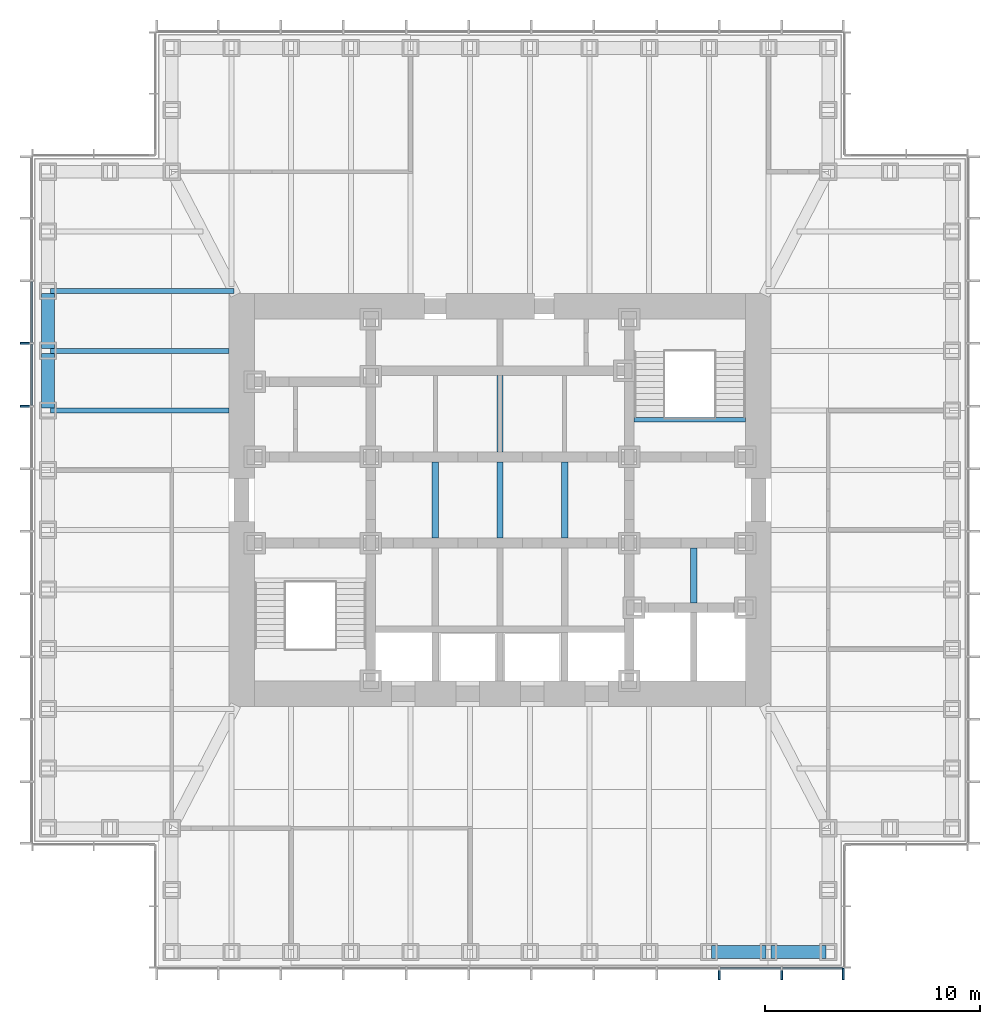
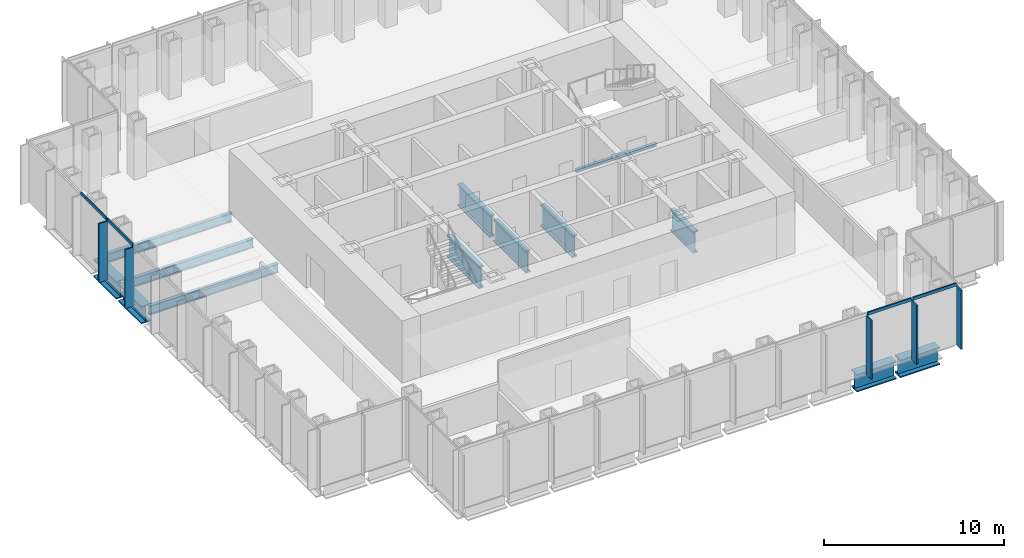
# One storey, part 3 of 16: 13 beams, 9 members, 2 elements without a shape of their own.
"""IFC4 building model written with IfcOpenShell, lengths in metres."""

from ifc_helpers import new_model, si_unit, direction, frame, origin, origin_2d, place, context, subcontext, project, spatial, rectangle, i_section, extrude, material, material_profile, profile_set, type_object, element, aggregate, save


model = new_model("IFC4")

# Units and contexts
model_context = context("Model", 3, precision=1e-05, world=origin(), true_north=direction((0.0, 1.0)))
body_context = subcontext(model_context, "Body", "Model", "MODEL_VIEW")
ifc_project = project(units=[si_unit("LENGTHUNIT", "METRE"), si_unit("AREAUNIT", "SQUARE_METRE"), si_unit("VOLUMEUNIT", "CUBIC_METRE"), si_unit("PLANEANGLEUNIT", "RADIAN"), si_unit("MASSUNIT", "GRAM", prefix="KILO")], contexts=[model_context])

# Site, building, storey
site_placement = place(None, origin())
site = spatial("IfcSite", under=ifc_project, at=site_placement, CompositionType="ELEMENT")
building_placement = place(site_placement, origin())
building = spatial("IfcBuilding", under=site, at=building_placement, Name="Daluyong Arena Tower", CompositionType="ELEMENT")
storey_placement = place(building_placement, frame((0.0, 0.0, 275.5)))
storey = spatial("IfcBuildingStorey", under=building, at=storey_placement, Name="L62", CompositionType="ELEMENT", Elevation=275.5)

# Curtain wall, members
ifc_material_1 = material(Name="Bronze anodised aluminium and glass", Category="aluminium")
curtain_wall_type = type_object("IfcCurtainWallType", Name="Curtain wall CW4", PredefinedType="USERDEFINED", material=ifc_material_1)
curtain_wall_1_placement = place(storey_placement, origin())
curtain_wall_1 = element("IfcCurtainWall", 1, at=curtain_wall_1_placement, inside=storey, type_object=curtain_wall_type, Name="curtain wall L62 S", ObjectType="UNITISED CURTAIN WALL", PredefinedType="USERDEFINED")
ifc_material_2 = material(Name="Bronze anodised aluminium fin", Category="aluminium")
ifc_material_profile_1 = material_profile(ifc_material_2, rectangle(XDim=0.550048828125, YDim=0.090087890625, at=origin_2d()))
ifc_profile_set_1 = profile_set([ifc_material_profile_1], Name="Bronze anodised aluminium fin")
member_type_1 = type_object("IfcMemberType", Name="CW4 bronze fin 550x90", PredefinedType="MULLION", material=ifc_profile_set_1)
member_1_placement = place(storey_placement, frame((66.181884765625, 57.97509765625, 0.0), z_axis=(0.0, 0.0, 1.0), x_axis=(0.0, 1.0, 0.0)))
member_1 = element("IfcMember", 2, at=member_1_placement, type_object=member_type_1, Name="curtain wall L62 S fin 10", PredefinedType="MULLION", context=body_context, shape_type="SweptSolid", body=[
    extrude(rectangle(XDim=0.550048828125, YDim=0.090087890625, at=origin_2d()), origin(), (0.0, 0.0, 1.0), 4.0),
])
member_2_placement = place(storey_placement, frame((69.0908203125, 57.97509765625, 0.0), z_axis=(0.0, 0.0, 1.0), x_axis=(0.0, 1.0, 0.0)))
member_2 = element("IfcMember", 3, at=member_2_placement, type_object=member_type_1, Name="curtain wall L62 S fin 11", PredefinedType="MULLION", context=body_context, shape_type="SweptSolid", body=[
    extrude(rectangle(XDim=0.550048828125, YDim=0.090087890625, at=origin_2d()), origin(), (0.0, 0.0, 1.0), 4.0),
])
member_3_placement = place(storey_placement, frame((71.955078125, 57.97509765625, 0.0), z_axis=(0.0, 0.0, 1.0), x_axis=(0.0, 1.0, 0.0)))
member_3 = element("IfcMember", 4, at=member_3_placement, type_object=member_type_1, Name="curtain wall L62 S fin 12", PredefinedType="MULLION", context=body_context, shape_type="SweptSolid", body=[
    extrude(rectangle(XDim=0.550048828125, YDim=0.090087890625, at=origin_2d()), origin(), (0.0, 0.0, 1.0), 4.0),
])

curtain_wall_2_placement = place(storey_placement, origin())
curtain_wall_2 = element("IfcCurtainWall", 5, at=curtain_wall_2_placement, inside=storey, type_object=curtain_wall_type, Name="curtain wall L62 W", ObjectType="UNITISED CURTAIN WALL", PredefinedType="USERDEFINED")
member_4_placement = place(storey_placement, frame((33.97509765625, 87.272705078125, 0.0), z_axis=(0.0, 0.0, 1.0), x_axis=(1.0, 0.0, 0.0)))
member_4 = element("IfcMember", 6, at=member_4_placement, type_object=member_type_1, Name="curtain wall L62 W fin 4", PredefinedType="MULLION", context=body_context, shape_type="SweptSolid", body=[
    extrude(rectangle(XDim=0.550048828125, YDim=0.090087890625, at=origin_2d()), origin(), (0.0, 0.0, 1.0), 4.0),
])
member_5_placement = place(storey_placement, frame((33.97509765625, 84.363525390625, 0.0), z_axis=(0.0, 0.0, 1.0), x_axis=(1.0, 0.0, 0.0)))
member_5 = element("IfcMember", 7, at=member_5_placement, type_object=member_type_1, Name="curtain wall L62 W fin 5", PredefinedType="MULLION", context=body_context, shape_type="SweptSolid", body=[
    extrude(rectangle(XDim=0.550048828125, YDim=0.090087890625, at=origin_2d()), origin(), (0.0, 0.0, 1.0), 4.0),
])

# Member
ifc_material_3 = material(Name="Bronze anodised aluminium", Category="aluminium")
ifc_material_profile_2 = material_profile(ifc_material_3, rectangle(XDim=0.090087890625, YDim=0.199951171875, at=origin_2d()))
ifc_profile_set_2 = profile_set([ifc_material_profile_2], Name="Bronze anodised aluminium")
member_type_2 = type_object("IfcMemberType", Name="CW4 stack transom 200x90", PredefinedType="USERDEFINED", material=ifc_profile_set_2)
member_6_placement = place(storey_placement, frame((66.226806640625, 58.25, 4.10009765625), z_axis=(1.0, 0.0, 0.0), x_axis=(0.0, 1.0, 0.0)))
member_6 = element("IfcMember", 8, at=member_6_placement, type_object=member_type_2, Name="curtain wall L62 S transom 10", ObjectType="TRANSOM", PredefinedType="USERDEFINED", context=body_context, shape_type="SweptSolid", body=[
    extrude(rectangle(XDim=0.090087890625, YDim=0.199951171875, at=origin_2d()), origin(), (0.0, 0.0, 1.0), 2.819091796875),
])

member_7_placement = place(storey_placement, frame((69.135986328125, 58.25, 4.10009765625), z_axis=(1.0, 0.0, 0.0), x_axis=(0.0, 1.0, 0.0)))
member_7 = element("IfcMember", 9, at=member_7_placement, type_object=member_type_2, Name="curtain wall L62 S transom 11", ObjectType="TRANSOM", PredefinedType="USERDEFINED", context=body_context, shape_type="SweptSolid", body=[
    extrude(rectangle(XDim=0.090087890625, YDim=0.199951171875, at=origin_2d()), origin(), (0.0, 0.0, 1.0), 2.77392578125),
])

aggregate(curtain_wall_1, [member_1, member_2, member_3, member_6, member_7])

member_8_placement = place(storey_placement, frame((34.25, 90.13671875, 4.10009765625), z_axis=(0.0, -1.0, 0.0), x_axis=(1.0, 0.0, 0.0)))
member_8 = element("IfcMember", 10, at=member_8_placement, type_object=member_type_2, Name="curtain wall L62 W transom 3", ObjectType="TRANSOM", PredefinedType="USERDEFINED", context=body_context, shape_type="SweptSolid", body=[
    extrude(rectangle(XDim=0.090087890625, YDim=0.199951171875, at=origin_2d()), origin(), (0.0, 0.0, 1.0), 2.819091796875),
])

member_9_placement = place(storey_placement, frame((34.25, 87.227783203125, 4.10009765625), z_axis=(0.0, -1.0, 0.0), x_axis=(1.0, 0.0, 0.0)))
member_9 = element("IfcMember", 11, at=member_9_placement, type_object=member_type_2, Name="curtain wall L62 W transom 4", ObjectType="TRANSOM", PredefinedType="USERDEFINED", context=body_context, shape_type="SweptSolid", body=[
    extrude(rectangle(XDim=0.090087890625, YDim=0.199951171875, at=origin_2d()), origin(), (0.0, 0.0, 1.0), 2.819091796875),
])

aggregate(curtain_wall_2, [member_4, member_5, member_8, member_9])

# Beams
ifc_material_4 = material(Name="Steel ASTM A992 Grade 50", Category="steel")
ifc_material_profile_3 = material_profile(ifc_material_4, i_section(OverallWidth=0.22900390625, OverallDepth=0.612060546875, WebThickness=0.011962890625, FlangeThickness=0.01953125, at=origin_2d()))
ifc_profile_set_3 = profile_set([ifc_material_profile_3], Name="Steel ASTM A992 Grade 50")
beam_type_1 = type_object("IfcBeamType", Name="Floor beam W24X84", PredefinedType="BEAM", material=ifc_profile_set_3)
beam_1_placement = place(storey_placement, frame((35.114990234375, 89.70458984375, -0.466064453125), z_axis=(1.0, 0.0, 0.0), x_axis=(0.0, 1.0, 0.0)))
element("IfcBeam", 12, at=beam_1_placement, inside=storey, type_object=beam_type_1, Name="floor beam FB3", PredefinedType="BEAM", context=body_context, shape_type="SweptSolid", body=[
    extrude(i_section(OverallWidth=0.22900390625, OverallDepth=0.612060546875, WebThickness=0.011962890625, FlangeThickness=0.01953125, at=origin_2d()), origin(), (0.0, 0.0, 1.0), 8.5185546875),
])
for number, where, z_axis, x_axis, name in (
    (13, (35.114990234375, 86.931884765625, -0.466064453125), (1.0, 0.0, 0.0), (0.0, 1.0, 0.0), "floor beam FB3"),
    (14, (35.114990234375, 84.1591796875, -0.466064453125), (1.0, 0.0, 0.0), (0.0, 1.0, 0.0), "floor beam FB3"),
):
    element("IfcBeam", number, at=place(storey_placement, frame(where, z_axis=z_axis, x_axis=x_axis)), inside=storey, type_object=beam_type_1, Name=name, PredefinedType="BEAM", context=body_context, shape_type="SweptSolid", body=[
        extrude(i_section(OverallWidth=0.22900390625, OverallDepth=0.612060546875, WebThickness=0.011962890625, FlangeThickness=0.01953125, at=origin_2d()), origin(), (0.0, 0.0, 1.0), 8.284912109375),
    ])
ifc_material_5 = material(Name="Steel ASTM A572 Grade 50", Category="steel")
ifc_material_profile_4 = material_profile(ifc_material_5, i_section(OverallWidth=0.300048828125, OverallDepth=1.5, WebThickness=0.04, FlangeThickness=0.1, at=origin_2d()))
ifc_profile_set_4 = profile_set([ifc_material_profile_4], Name="Steel ASTM A572 Grade 50")
beam_type_2 = type_object("IfcBeamType", Name="Lift divider beam PG1500X300", PredefinedType="BEAM", material=ifc_profile_set_4)
for number, where, z_axis, x_axis, name in (
    (15, (53.0, 78.22509765625, -0.909912109375), (0.0, 1.0, 0.0), (-1.0, 0.0, 0.0), "lift divider beam DB2"),
    (16, (56.0, 78.22509765625, -0.909912109375), (0.0, 1.0, 0.0), (-1.0, 0.0, 0.0), "lift divider beam DB2"),
    (17, (56.0, 82.22509765625, -0.909912109375), (0.0, 1.0, 0.0), (-1.0, 0.0, 0.0), "lift divider beam DB2"),
    (18, (59.0, 78.22509765625, -0.909912109375), (0.0, 1.0, 0.0), (-1.0, 0.0, 0.0), "lift divider beam DB2"),
):
    element("IfcBeam", number, at=place(storey_placement, frame(where, z_axis=z_axis, x_axis=x_axis)), inside=storey, type_object=beam_type_2, Name=name, PredefinedType="BEAM", context=body_context, shape_type="SweptSolid", body=[
        extrude(i_section(OverallWidth=0.300048828125, OverallDepth=1.5, WebThickness=0.04, FlangeThickness=0.1, at=origin_2d()), origin(), (0.0, 0.0, 1.0), 3.5498046875),
    ])
beam_2_placement = place(storey_placement, frame((65.0, 75.22509765625, -0.909912109375), z_axis=(0.0, 1.0, 0.0), x_axis=(-1.0, 0.0, 0.0)))
element("IfcBeam", 19, at=beam_2_placement, inside=storey, type_object=beam_type_2, Name="lift divider beam DB2", PredefinedType="BEAM", context=body_context, shape_type="SweptSolid", body=[
    extrude(i_section(OverallWidth=0.300048828125, OverallDepth=1.5, WebThickness=0.04, FlangeThickness=0.1, at=origin_2d()), origin(), (0.0, 0.0, 1.0), 2.5498046875),
])
ifc_material_6 = material(Name="Steel ASTM A572 Grade 50", Category="steel")
ifc_material_profile_5 = material_profile(ifc_material_6, i_section(OverallWidth=0.60009765625, OverallDepth=1.199951171875, WebThickness=0.03, FlangeThickness=0.08, at=origin_2d()))
ifc_profile_set_5 = profile_set([ifc_material_profile_5], Name="Steel ASTM A572 Grade 50")
beam_type_3 = type_object("IfcBeamType", Name="Spandrel Z4 PG1200X600", PredefinedType="SPANDREL", material=ifc_profile_set_5)
for number, where, z_axis, x_axis, name in (
    (20, (65.819580078125, 59.0, -0.760009765625), (1.0, 0.0, 0.0), (0.0, 1.0, 0.0), "spandrel z4 SB9"),
    (21, (68.59228515625, 59.0, -0.760009765625), (1.0, 0.0, 0.0), (0.0, 1.0, 0.0), "spandrel z4 SB9"),
    (22, (35.0, 89.589599609375, -0.760009765625), (0.0, -1.0, 0.0), (1.0, 0.0, 0.0), "spandrel z4 SB9"),
    (23, (35.0, 86.81689453125, -0.760009765625), (0.0, -1.0, 0.0), (1.0, 0.0, 0.0), "spandrel z4 SB9"),
):
    element("IfcBeam", number, at=place(storey_placement, frame(where, z_axis=z_axis, x_axis=x_axis)), inside=storey, type_object=beam_type_3, Name=name, PredefinedType="SPANDREL", context=body_context, shape_type="SweptSolid", body=[
        extrude(i_section(OverallWidth=0.60009765625, OverallDepth=1.199951171875, WebThickness=0.03, FlangeThickness=0.08, at=origin_2d()), origin(), (0.0, 0.0, 1.0), 2.542724609375),
    ])
ifc_material_7 = material(Name="Steel ASTM A992 Grade 50", Category="steel")
ifc_material_profile_6 = material_profile(ifc_material_7, i_section(OverallWidth=0.203125, OverallDepth=0.203125, WebThickness=0.00732421875, FlangeThickness=0.010986328125, at=origin_2d()))
ifc_profile_set_6 = profile_set([ifc_material_profile_6], Name="Steel ASTM A992 Grade 50")
beam_type_4 = type_object("IfcBeamType", Name="Stair landing beam W8X31", PredefinedType="BEAM", material=ifc_profile_set_6)
beam_3_placement = place(storey_placement, frame((62.22509765625, 83.723388671875, -0.26171875), z_axis=(1.0, 0.0, 0.0), x_axis=(0.0, 1.0, 0.0)))
element("IfcBeam", 24, at=beam_3_placement, inside=storey, type_object=beam_type_4, Name="exit stair B landing beam", PredefinedType="BEAM", context=body_context, shape_type="SweptSolid", body=[
    extrude(i_section(OverallWidth=0.203125, OverallDepth=0.203125, WebThickness=0.00732421875, FlangeThickness=0.010986328125, at=origin_2d()), origin(), (0.0, 0.0, 1.0), 5.1748046875),
])

save(model, "model.ifc")
